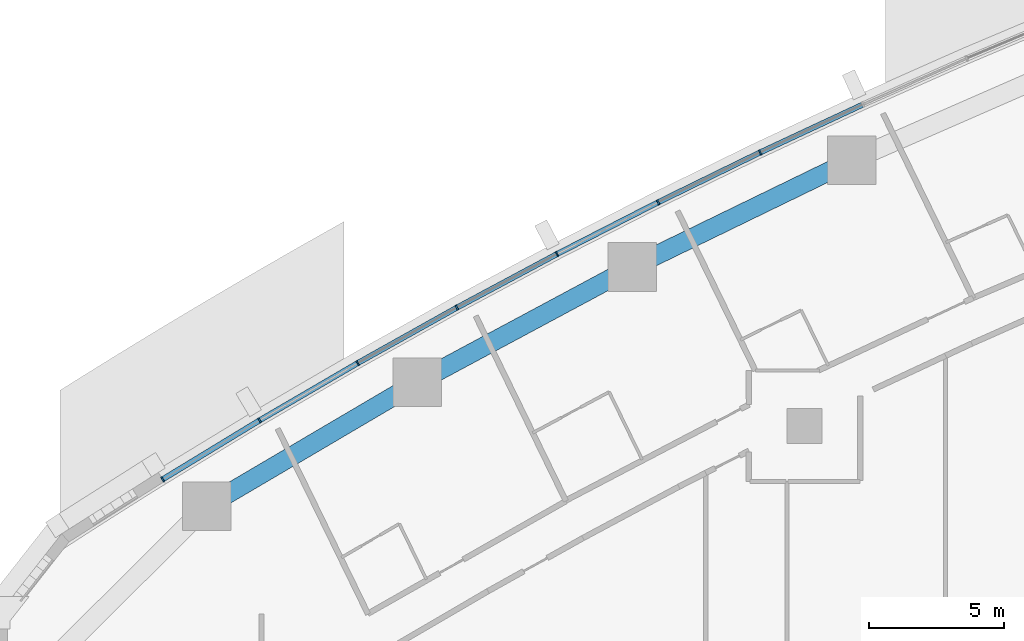
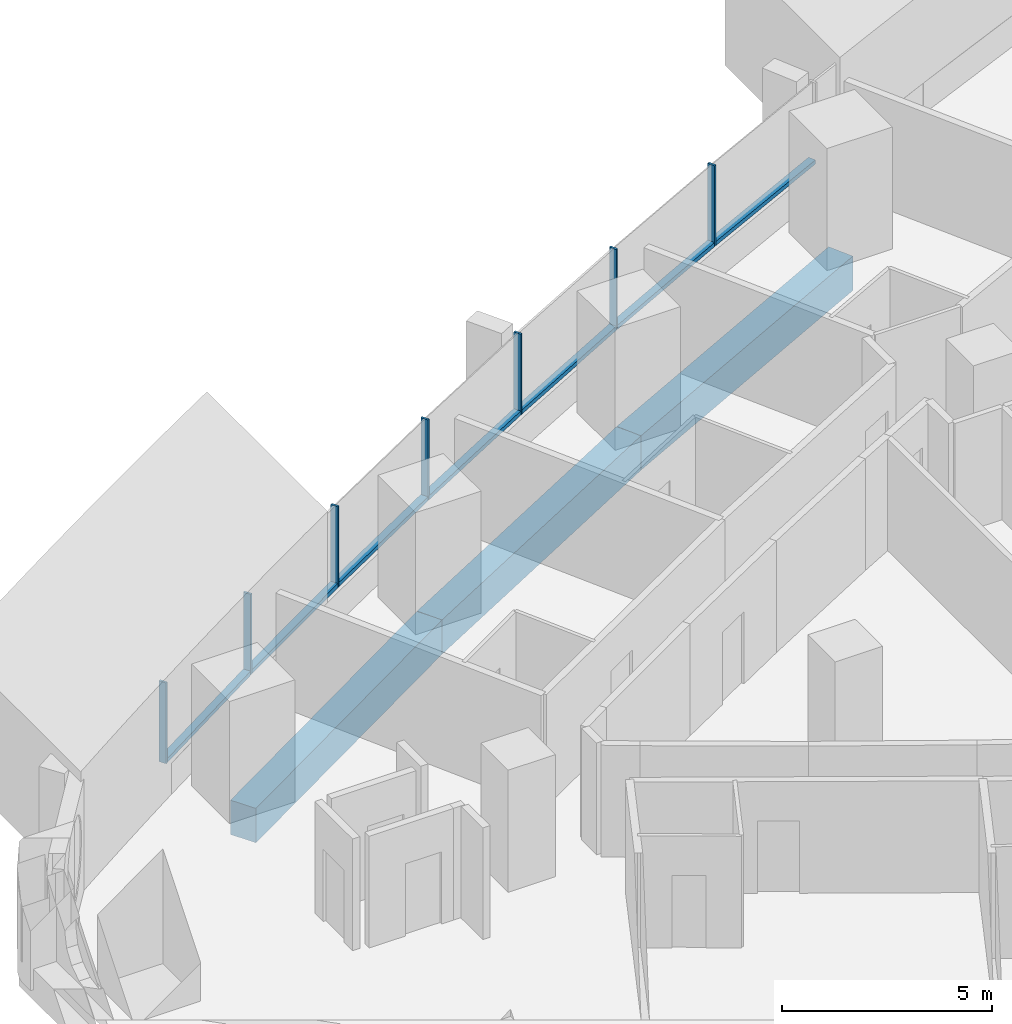
# One storey, part 5 of 19: 14 members, 3 beams, 3 elements without a shape of their own.
"""IFC4 building model written with IfcOpenShell, lengths in metres."""

from ifc_helpers import new_model, si_unit, direction, frame, origin, origin_2d, place, context, subcontext, project, spatial, rectangle, extrude, material, layer, layer_set, material_profile, profile_set, type_object, element, aggregate, save


model = new_model("IFC4")

# Units and contexts
model_context = context("Model", 3, precision=1e-05, world=origin(), true_north=direction((0.0, 1.0)))
body_context = subcontext(model_context, "Body", "Model", "MODEL_VIEW")
ifc_project = project(units=[si_unit("LENGTHUNIT", "METRE"), si_unit("AREAUNIT", "SQUARE_METRE"), si_unit("VOLUMEUNIT", "CUBIC_METRE"), si_unit("PLANEANGLEUNIT", "RADIAN"), si_unit("MASSUNIT", "GRAM", prefix="KILO")], contexts=[model_context])

# Site, building, storey
site_placement = place(None, origin())
site = spatial("IfcSite", under=ifc_project, at=site_placement, CompositionType="ELEMENT")
building_placement = place(site_placement, origin())
building = spatial("IfcBuilding", under=site, at=building_placement, Name="Ostrand Prow Hotel Tower", CompositionType="ELEMENT")
storey_placement = place(building_placement, frame((0.0, 0.0, 53.800048828125)))
storey = spatial("IfcBuildingStorey", under=building, at=storey_placement, Name="L11", CompositionType="ELEMENT", Elevation=53.800048828125)

# Beams
ifc_material_1 = material(Name="Concrete C80/95", Category="concrete")
ifc_material_profile_1 = material_profile(ifc_material_1, rectangle(XDim=0.699951171875, YDim=1.0, at=origin_2d()), Name="RC 700x1000")
ifc_profile_set_1 = profile_set([ifc_material_profile_1], Name="Concrete C80/95")
beam_type = type_object("IfcBeamType", Name="Edge beam 700x1000 C80/95", PredefinedType="SPANDREL", material=ifc_profile_set_1)
beam_1_placement = place(storey_placement, frame((35.7412109375, 18.814208984375, -0.800048828125), z_axis=(-0.899382499202, -0.437162578601, 0.0), x_axis=(0.437162578601, -0.899382499202, 0.0)))
element("IfcBeam", 1, at=beam_1_placement, inside=storey, type_object=beam_type, Name="Edge beam N3-N4", PredefinedType="SPANDREL", context=body_context, shape_type="SweptSolid", body=[
    extrude(rectangle(XDim=0.699951171875, YDim=1.0, at=origin_2d()), origin(), (0.0, 0.0, 1.0), 9.012451171875),
])
beam_2_placement = place(storey_placement, frame((27.635498046875, 14.874267578125, -0.800048828125), z_axis=(-0.881270074696, -0.472613008122, 0.0), x_axis=(0.472613008122, -0.881270074696, 0.0)))
element("IfcBeam", 2, at=beam_2_placement, inside=storey, type_object=beam_type, Name="Edge beam N4-N5", PredefinedType="SPANDREL", context=body_context, shape_type="SweptSolid", body=[
    extrude(rectangle(XDim=0.699951171875, YDim=1.0, at=origin_2d()), origin(), (0.0, 0.0, 1.0), 9.0126953125),
])
beam_3_placement = place(storey_placement, frame((19.69287109375, 10.61474609375, -0.800048828125), z_axis=(-0.861725230108, -0.507375233722, 0.0), x_axis=(0.507375233722, -0.861725230108, 0.0)))
element("IfcBeam", 3, at=beam_3_placement, inside=storey, type_object=beam_type, Name="Edge beam N5-N6", PredefinedType="SPANDREL", context=body_context, shape_type="SweptSolid", body=[
    extrude(rectangle(XDim=0.699951171875, YDim=1.0, at=origin_2d()), origin(), (0.0, 0.0, 1.0), 9.012451171875),
])

# Curtain wall, members
ifc_material_2 = material(Name="Insulated glass in bronze anodised frame", Category="glass")
ifc_layer = layer(ifc_material_2, 0.199951171875)
ifc_layer_set = layer_set([ifc_layer], Name="Insulated glass in bronze anodised frame")
curtain_wall_type = type_object("IfcCurtainWallType", Name="Strip curtain wall, fritted glass over bronze spandrel", PredefinedType="NOTDEFINED", material=ifc_layer_set)
curtain_wall_1_placement = place(storey_placement, origin())
curtain_wall_1 = element("IfcCurtainWall", 4, at=curtain_wall_1_placement, inside=storey, type_object=curtain_wall_type, Name="CW1 run CWN3", PredefinedType="NOTDEFINED")
ifc_material_3 = material(Name="Bronze anodised aluminium", Category="aluminium")
ifc_material_profile_2 = material_profile(ifc_material_3, rectangle(XDim=0.199951171875, YDim=0.06005859375, at=origin_2d()), Name="Mullion 60x200 bronze anodised aluminium")
ifc_profile_set_2 = profile_set([ifc_material_profile_2], Name="Bronze anodised aluminium")
member_type_1 = type_object("IfcMemberType", Name="Mullion 60x200 bronze anodised aluminium", PredefinedType="MULLION", material=ifc_profile_set_2)
member_1_placement = place(storey_placement, frame((32.360595703125, 19.10498046875, 0.89990234375), z_axis=(0.0, 0.0, 1.0), x_axis=(0.439138077204, -0.898419584131, 0.0)))
member_1 = element("IfcMember", 5, at=member_1_placement, type_object=member_type_1, Name="CW1 mullion 2", PredefinedType="MULLION", context=body_context, shape_type="SweptSolid", body=[
    extrude(rectangle(XDim=0.199951171875, YDim=0.06005859375, at=origin_2d()), origin(), (0.0, 0.0, 1.0), 2.35009765625),
])
member_2_placement = place(storey_placement, frame((28.59228515625, 17.262939453125, 0.89990234375), z_axis=(0.0, 0.0, 1.0), x_axis=(0.439138077204, -0.898419584131, 0.0)))
member_2 = element("IfcMember", 6, at=member_2_placement, type_object=member_type_1, Name="CW1 mullion 3", PredefinedType="MULLION", context=body_context, shape_type="SweptSolid", body=[
    extrude(rectangle(XDim=0.199951171875, YDim=0.06005859375, at=origin_2d()), origin(), (0.0, 0.0, 1.0), 2.35009765625),
])

curtain_wall_2_placement = place(storey_placement, origin())
curtain_wall_2 = element("IfcCurtainWall", 7, at=curtain_wall_2_placement, inside=storey, type_object=curtain_wall_type, Name="CW1 run CWN4", PredefinedType="NOTDEFINED")
member_3_placement = place(storey_placement, frame((24.858642578125, 15.35205078125, 0.89990234375), z_axis=(0.0, 0.0, 1.0), x_axis=(0.471899992481, -0.881652083929, 0.0)))
member_3 = element("IfcMember", 8, at=member_3_placement, type_object=member_type_1, Name="CW1 mullion 2", PredefinedType="MULLION", context=body_context, shape_type="SweptSolid", body=[
    extrude(rectangle(XDim=0.199951171875, YDim=0.06005859375, at=origin_2d()), origin(), (0.0, 0.0, 1.0), 2.35009765625),
])
member_4_placement = place(storey_placement, frame((21.160888671875, 13.372802734375, 0.89990234375), z_axis=(0.0, 0.0, 1.0), x_axis=(0.488043996167, -0.872819029241, 0.0)))
member_4 = element("IfcMember", 9, at=member_4_placement, type_object=member_type_1, Name="CW1 mullion 3", PredefinedType="MULLION", context=body_context, shape_type="SweptSolid", body=[
    extrude(rectangle(XDim=0.199951171875, YDim=0.06005859375, at=origin_2d()), origin(), (0.0, 0.0, 1.0), 2.35009765625),
])
member_5_placement = place(storey_placement, frame((17.5, 11.325927734375, 0.89990234375), z_axis=(0.0, 0.0, 1.0), x_axis=(0.488043996167, -0.872819029241, 0.0)))
member_5 = element("IfcMember", 10, at=member_5_placement, type_object=member_type_1, Name="CW1 mullion 4", PredefinedType="MULLION", context=body_context, shape_type="SweptSolid", body=[
    extrude(rectangle(XDim=0.199951171875, YDim=0.06005859375, at=origin_2d()), origin(), (0.0, 0.0, 1.0), 2.35009765625),
])

curtain_wall_3_placement = place(storey_placement, origin())
curtain_wall_3 = element("IfcCurtainWall", 11, at=curtain_wall_3_placement, inside=storey, type_object=curtain_wall_type, Name="CW1 run CWN5", PredefinedType="NOTDEFINED")
member_6_placement = place(storey_placement, frame((13.87744140625, 9.2119140625, 0.89990234375), z_axis=(0.0, 0.0, 1.0), x_axis=(0.519830761515, -0.854269266322, 0.0)))
member_6 = element("IfcMember", 12, at=member_6_placement, type_object=member_type_1, Name="CW1 mullion 2", PredefinedType="MULLION", context=body_context, shape_type="SweptSolid", body=[
    extrude(rectangle(XDim=0.199951171875, YDim=0.06005859375, at=origin_2d()), origin(), (0.0, 0.0, 1.0), 2.35009765625),
])
member_7_placement = place(storey_placement, frame((10.29443359375, 7.031494140625, 0.89990234375), z_axis=(0.0, 0.0, 1.0), x_axis=(0.519830761515, -0.854269266322, 0.0)))
member_7 = element("IfcMember", 13, at=member_7_placement, type_object=member_type_1, Name="CW1 mullion 3", PredefinedType="MULLION", context=body_context, shape_type="SweptSolid", body=[
    extrude(rectangle(XDim=0.199951171875, YDim=0.06005859375, at=origin_2d()), origin(), (0.0, 0.0, 1.0), 2.35009765625),
])

# Member
ifc_material_4 = material(Name="Bronze anodised aluminium", Category="aluminium")
ifc_material_profile_3 = material_profile(ifc_material_4, rectangle(XDim=0.199951171875, YDim=0.1201171875, at=origin_2d()), Name="Transom 120x200 bronze anodised aluminium")
ifc_profile_set_3 = profile_set([ifc_material_profile_3], Name="Bronze anodised aluminium")
member_type_2 = type_object("IfcMemberType", Name="Transom 120x200 bronze anodised aluminium", PredefinedType="USERDEFINED", material=ifc_profile_set_3)
member_8_placement = place(storey_placement, frame((36.135009765625, 20.864501953125, 0.9599609375), z_axis=(-0.906338458793, -0.422552479714, 0.0), x_axis=(0.422552479714, -0.906338458793, 0.0)))
member_8 = element("IfcMember", 14, at=member_8_placement, type_object=member_type_2, Name="CW1 transom 1.1", ObjectType="TRANSOM", PredefinedType="USERDEFINED", context=body_context, shape_type="SweptSolid", body=[
    extrude(rectangle(XDim=0.199951171875, YDim=0.1201171875, at=origin_2d()), origin(), (0.0, 0.0, 1.0), 4.134521484375),
])

member_9_placement = place(storey_placement, frame((32.33349609375, 19.091796875, 0.9599609375), z_axis=(-0.898395234758, -0.439187889364, 0.0), x_axis=(0.439187889364, -0.898395234758, 0.0)))
member_9 = element("IfcMember", 15, at=member_9_placement, type_object=member_type_2, Name="CW1 transom 2.1", ObjectType="TRANSOM", PredefinedType="USERDEFINED", context=body_context, shape_type="SweptSolid", body=[
    extrude(rectangle(XDim=0.199951171875, YDim=0.1201171875, at=origin_2d()), origin(), (0.0, 0.0, 1.0), 4.13427734375),
])

aggregate(curtain_wall_1, [member_1, member_2, member_8, member_9])

member_10_placement = place(storey_placement, frame((28.565673828125, 17.249267578125, 0.9599609375), z_axis=(-0.890182999343, -0.455603147136, 0.0), x_axis=(0.455603147136, -0.890182999343, 0.0)))
member_10 = element("IfcMember", 16, at=member_10_placement, type_object=member_type_2, Name="CW1 transom 1.1", ObjectType="TRANSOM", PredefinedType="USERDEFINED", context=body_context, shape_type="SweptSolid", body=[
    extrude(rectangle(XDim=0.199951171875, YDim=0.1201171875, at=origin_2d()), origin(), (0.0, 0.0, 1.0), 4.13427734375),
])

member_11_placement = place(storey_placement, frame((24.832275390625, 15.337890625, 0.9599609375), z_axis=(-0.881657241639, -0.471890356191, 0.0), x_axis=(0.471890356191, -0.881657241639, 0.0)))
member_11 = element("IfcMember", 17, at=member_11_placement, type_object=member_type_2, Name="CW1 transom 2.1", ObjectType="TRANSOM", PredefinedType="USERDEFINED", context=body_context, shape_type="SweptSolid", body=[
    extrude(rectangle(XDim=0.199951171875, YDim=0.1201171875, at=origin_2d()), origin(), (0.0, 0.0, 1.0), 4.13427734375),
])

member_12_placement = place(storey_placement, frame((21.134765625, 13.358154296875, 0.9599609375), z_axis=(-0.872842137405, -0.488002667175, 0.0), x_axis=(0.488002667175, -0.872842137405, 0.0)))
member_12 = element("IfcMember", 18, at=member_12_placement, type_object=member_type_2, Name="CW1 transom 3.1", ObjectType="TRANSOM", PredefinedType="USERDEFINED", context=body_context, shape_type="SweptSolid", body=[
    extrude(rectangle(XDim=0.199951171875, YDim=0.1201171875, at=origin_2d()), origin(), (0.0, 0.0, 1.0), 4.13427734375),
])

aggregate(curtain_wall_2, [member_3, member_4, member_5, member_10, member_11, member_12])

member_13_placement = place(storey_placement, frame((17.47412109375, 11.310791015625, 0.9599609375), z_axis=(-0.863697501622, -0.504010541251, 0.0), x_axis=(0.504010541251, -0.863697501622, 0.0)))
member_13 = element("IfcMember", 19, at=member_13_placement, type_object=member_type_2, Name="CW1 transom 1.1", ObjectType="TRANSOM", PredefinedType="USERDEFINED", context=body_context, shape_type="SweptSolid", body=[
    extrude(rectangle(XDim=0.199951171875, YDim=0.1201171875, at=origin_2d()), origin(), (0.0, 0.0, 1.0), 4.13427734375),
])

member_14_placement = place(storey_placement, frame((13.851806640625, 9.1962890625, 0.9599609375), z_axis=(-0.8542612678, -0.519843905741, 0.0), x_axis=(0.519843905741, -0.8542612678, 0.0)))
member_14 = element("IfcMember", 20, at=member_14_placement, type_object=member_type_2, Name="CW1 transom 2.1", ObjectType="TRANSOM", PredefinedType="USERDEFINED", context=body_context, shape_type="SweptSolid", body=[
    extrude(rectangle(XDim=0.199951171875, YDim=0.1201171875, at=origin_2d()), origin(), (0.0, 0.0, 1.0), 4.13427734375),
])

aggregate(curtain_wall_3, [member_6, member_7, member_13, member_14])

save(model, "model.ifc")
